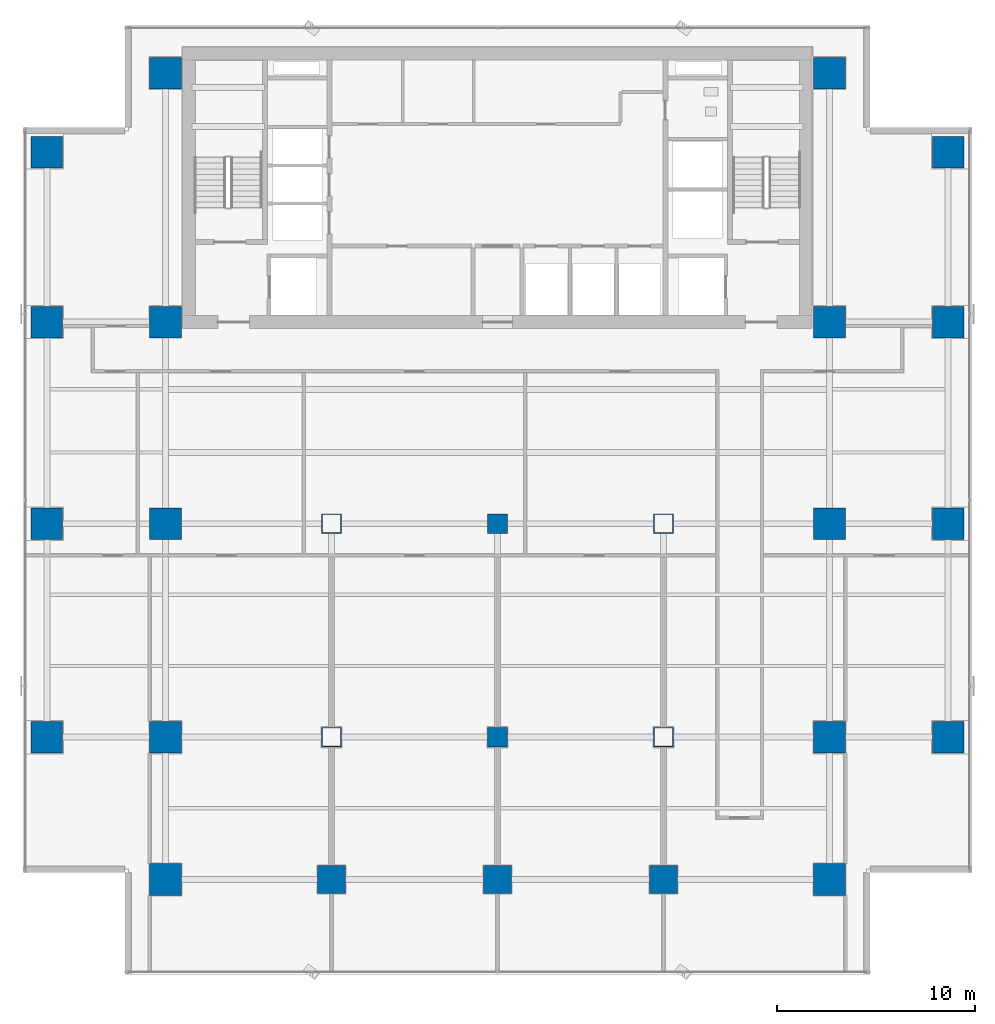
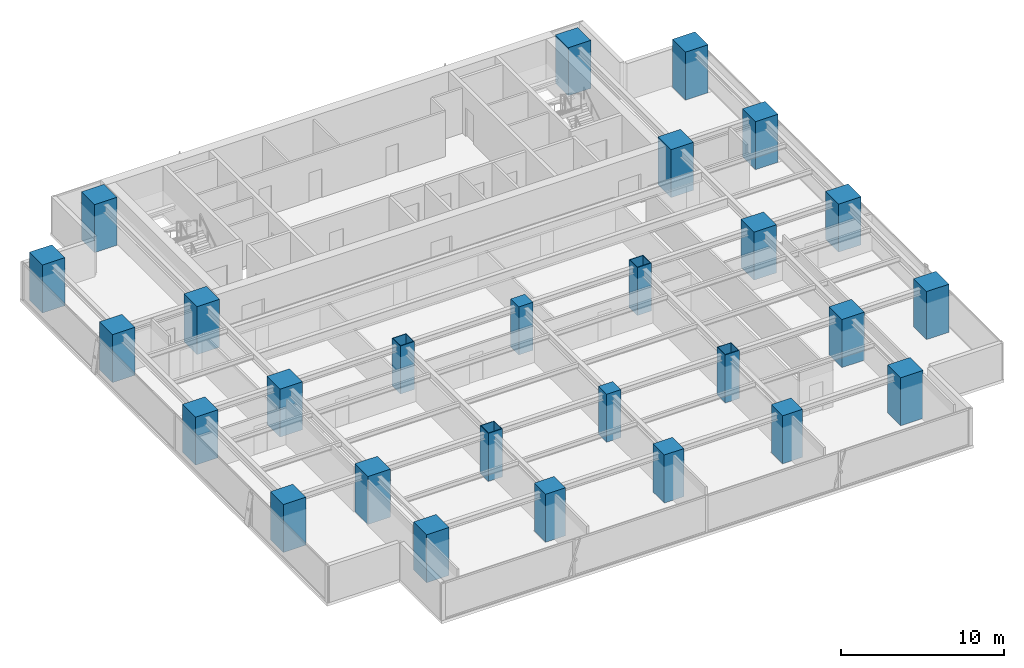
# One storey, part 1 of 28: 27 columns.
"""IFC4 building model written with IfcOpenShell, lengths in metres."""

from ifc_helpers import new_model, si_unit, direction, frame, origin, origin_2d, place, context, subcontext, project, spatial, rectangle, hollow_rectangle, extrude, source, transform, mapped, material, material_profile, profile_set, type_object, element, save


model = new_model("IFC4")

# Units and contexts
model_context = context("Model", 3, precision=1e-05, world=origin(), true_north=direction((0.0, 1.0)))
body_context = subcontext(model_context, "Body", "Model", "MODEL_VIEW")
ifc_project = project(units=[si_unit("LENGTHUNIT", "METRE"), si_unit("AREAUNIT", "SQUARE_METRE"), si_unit("VOLUMEUNIT", "CUBIC_METRE"), si_unit("PLANEANGLEUNIT", "RADIAN"), si_unit("MASSUNIT", "GRAM", prefix="KILO")], contexts=[model_context])

# Site, building, storey
site_placement = place(None, origin())
site = spatial("IfcSite", under=ifc_project, at=site_placement, CompositionType="ELEMENT")
building_placement = place(site_placement, origin())
building = spatial("IfcBuilding", under=site, at=building_placement, Name="Sumidabori Civic Tower", CompositionType="ELEMENT")
storey_placement = place(building_placement, frame((0.0, 0.0, 146.0)))
storey = spatial("IfcBuildingStorey", under=building, at=storey_placement, Name="L37", CompositionType="ELEMENT", Elevation=146.0)

# Columns
ifc_material_1 = material(Name="Concrete C60/75", Category="concrete")
ifc_material_profile_1 = material_profile(ifc_material_1, rectangle(XDim=1.60009765625, YDim=1.60009765625, at=origin_2d()), Name="RC 1600x1600")
ifc_profile_set_1 = profile_set([ifc_material_profile_1], Name="Concrete C60/75")
column_type_1 = type_object("IfcColumnType", Name="CL-MEGA-1600", PredefinedType="COLUMN", material=ifc_profile_set_1)
shared_shape_1 = source(origin(), body_context, "Body", "SweptSolid", [
    extrude(rectangle(XDim=1.60009765625, YDim=1.60009765625, at=origin_2d()), origin(), (0.0, 0.0, 1.0), 3.60009765625),
])
for number, where, z_axis, x_axis, name in (
    (1, (-16.800048828125, -18.0, 0.0), (0.0, 0.0, 1.0), (1.0, 0.0, 0.0), "Column MC-W16-Y18S L37"),
    (2, (-16.800048828125, -10.800048828125, 0.0), (0.0, 0.0, 1.0), (1.0, 0.0, 0.0), "Column MC-W16-Y11S L37"),
    (3, (-16.800048828125, 0.0, 0.0), (0.0, 0.0, 1.0), (1.0, 0.0, 0.0), "Column MC-W16-Y00 L37"),
    (4, (-16.800048828125, 10.199951171875, 0.0), (0.0, 0.0, 1.0), (1.0, 0.0, 0.0), "Column MC-W16-Y10N L37"),
    (5, (-16.800048828125, 22.800048828125, 0.0), (0.0, 0.0, 1.0), (1.0, 0.0, 0.0), "Column MC-W16-Y23N L37"),
    (6, (16.800048828125, -18.0, 0.0), (0.0, 0.0, 1.0), (1.0, 0.0, 0.0), "Column MC-E16-Y18S L37"),
    (7, (16.800048828125, -10.800048828125, 0.0), (0.0, 0.0, 1.0), (1.0, 0.0, 0.0), "Column MC-E16-Y11S L37"),
    (8, (16.800048828125, 0.0, 0.0), (0.0, 0.0, 1.0), (1.0, 0.0, 0.0), "Column MC-E16-Y00 L37"),
    (9, (16.800048828125, 10.199951171875, 0.0), (0.0, 0.0, 1.0), (1.0, 0.0, 0.0), "Column MC-E16-Y10N L37"),
    (10, (16.800048828125, 22.800048828125, 0.0), (0.0, 0.0, 1.0), (1.0, 0.0, 0.0), "Column MC-E16-Y23N L37"),
    (11, (-22.800048828125, -10.800048828125, 0.0), (0.0, 0.0, 1.0), (1.0, 0.0, 0.0), "Column MC-W23-Y11S L37"),
    (12, (-22.800048828125, 0.0, 0.0), (0.0, 0.0, 1.0), (1.0, 0.0, 0.0), "Column MC-W23-Y00 L37"),
    (13, (-22.800048828125, 10.199951171875, 0.0), (0.0, 0.0, 1.0), (1.0, 0.0, 0.0), "Column MC-W23-Y10N L37"),
    (14, (-22.800048828125, 18.800048828125, 0.0), (0.0, 0.0, 1.0), (1.0, 0.0, 0.0), "Column MC-W23-Y19N L37"),
    (15, (22.800048828125, -10.800048828125, 0.0), (0.0, 0.0, 1.0), (1.0, 0.0, 0.0), "Column MC-E23-Y11S L37"),
    (16, (22.800048828125, 0.0, 0.0), (0.0, 0.0, 1.0), (1.0, 0.0, 0.0), "Column MC-E23-Y00 L37"),
    (17, (22.800048828125, 10.199951171875, 0.0), (0.0, 0.0, 1.0), (1.0, 0.0, 0.0), "Column MC-E23-Y10N L37"),
    (18, (22.800048828125, 18.800048828125, 0.0), (0.0, 0.0, 1.0), (1.0, 0.0, 0.0), "Column MC-E23-Y19N L37"),
):
    element("IfcColumn", number, at=place(storey_placement, frame(where, z_axis=z_axis, x_axis=x_axis)), inside=storey, type_object=column_type_1, Name=name, PredefinedType="COLUMN", context=body_context, shape_type="MappedRepresentation", body=[
        mapped(shared_shape_1, transform((0.0, 0.0, 0.0), x_axis=(1.0, 0.0, 0.0), y_axis=(0.0, 1.0, 0.0), z_axis=(0.0, 0.0, 1.0), scale=1.0)),
    ])
ifc_material_2 = material(Name="Steel SM570", Category="steel")
ifc_material_profile_2 = material_profile(ifc_material_2, hollow_rectangle(XDim=1.0, YDim=1.0, WallThickness=0.044921875, at=origin_2d()), Name="SHS 1000x1000x45")
ifc_profile_set_2 = profile_set([ifc_material_profile_2], Name="Steel SM570")
column_type_2 = type_object("IfcColumnType", Name="CL-PORTAL-SHS1000", PredefinedType="COLUMN", material=ifc_profile_set_2)
shared_shape_2 = source(origin(), body_context, "Body", "SweptSolid", [
    extrude(hollow_rectangle(XDim=1.0, YDim=1.0, WallThickness=0.044921875, at=origin_2d()), origin(), (0.0, 0.0, 1.0), 3.60009765625),
])
for number, where, z_axis, x_axis, name in (
    (19, (-8.39990234375, 0.0, 0.0), (0.0, 0.0, 1.0), (1.0, 0.0, 0.0), "Column MC-W08-Y00 L37"),
    (20, (-8.39990234375, -10.800048828125, 0.0), (0.0, 0.0, 1.0), (1.0, 0.0, 0.0), "Column MC-W08-Y11S L37"),
    (21, (8.39990234375, 0.0, 0.0), (0.0, 0.0, 1.0), (1.0, 0.0, 0.0), "Column MC-E08-Y00 L37"),
    (22, (8.39990234375, -10.800048828125, 0.0), (0.0, 0.0, 1.0), (1.0, 0.0, 0.0), "Column MC-E08-Y11S L37"),
):
    element("IfcColumn", number, at=place(storey_placement, frame(where, z_axis=z_axis, x_axis=x_axis)), inside=storey, type_object=column_type_2, Name=name, PredefinedType="COLUMN", context=body_context, shape_type="MappedRepresentation", body=[
        mapped(shared_shape_2, transform((0.0, 0.0, 0.0), x_axis=(1.0, 0.0, 0.0), y_axis=(0.0, 1.0, 0.0), z_axis=(0.0, 0.0, 1.0), scale=1.0)),
    ])
ifc_material_profile_3 = material_profile(ifc_material_1, rectangle(XDim=1.39990234375, YDim=1.39990234375, at=origin_2d()), Name="RC 1400x1400")
ifc_profile_set_3 = profile_set([ifc_material_profile_3], Name="Concrete C60/75")
column_type_3 = type_object("IfcColumnType", Name="CL-MEGA-1400", PredefinedType="COLUMN", material=ifc_profile_set_3)
shared_shape_3 = source(origin(), body_context, "Body", "SweptSolid", [
    extrude(rectangle(XDim=1.39990234375, YDim=1.39990234375, at=origin_2d()), origin(), (0.0, 0.0, 1.0), 3.60009765625),
])
for number, where, z_axis, x_axis, name in (
    (23, (-8.39990234375, -18.0, 0.0), (0.0, 0.0, 1.0), (1.0, 0.0, 0.0), "Column MC-W08-Y18S L37"),
    (24, (8.39990234375, -18.0, 0.0), (0.0, 0.0, 1.0), (1.0, 0.0, 0.0), "Column MC-E08-Y18S L37"),
    (25, (0.0, -18.0, 0.0), (0.0, 0.0, 1.0), (1.0, 0.0, 0.0), "Column MC-C00-Y18S L37"),
):
    element("IfcColumn", number, at=place(storey_placement, frame(where, z_axis=z_axis, x_axis=x_axis)), inside=storey, type_object=column_type_3, Name=name, PredefinedType="COLUMN", context=body_context, shape_type="MappedRepresentation", body=[
        mapped(shared_shape_3, transform((0.0, 0.0, 0.0), x_axis=(1.0, 0.0, 0.0), y_axis=(0.0, 1.0, 0.0), z_axis=(0.0, 0.0, 1.0), scale=1.0)),
    ])
ifc_material_3 = material(Name="Concrete C50/60", Category="concrete")
ifc_material_profile_4 = material_profile(ifc_material_3, rectangle(XDim=1.0, YDim=1.0, at=origin_2d()), Name="RC 1000x1000")
ifc_profile_set_4 = profile_set([ifc_material_profile_4], Name="Concrete C50/60")
column_type_4 = type_object("IfcColumnType", Name="CL-INT-1000", PredefinedType="COLUMN", material=ifc_profile_set_4)
shared_shape_4 = source(origin(), body_context, "Body", "SweptSolid", [
    extrude(rectangle(XDim=1.0, YDim=1.0, at=origin_2d()), origin(), (0.0, 0.0, 1.0), 3.60009765625),
])
for number, where, z_axis, x_axis, name in (
    (26, (0.0, -10.800048828125, 0.0), (0.0, 0.0, 1.0), (1.0, 0.0, 0.0), "Column MC-C00-Y11S L37"),
    (27, (0.0, 0.0, 0.0), (0.0, 0.0, 1.0), (1.0, 0.0, 0.0), "Column MC-C00-Y00 L37"),
):
    element("IfcColumn", number, at=place(storey_placement, frame(where, z_axis=z_axis, x_axis=x_axis)), inside=storey, type_object=column_type_4, Name=name, PredefinedType="COLUMN", context=body_context, shape_type="MappedRepresentation", body=[
        mapped(shared_shape_4, transform((0.0, 0.0, 0.0), x_axis=(1.0, 0.0, 0.0), y_axis=(0.0, 1.0, 0.0), z_axis=(0.0, 0.0, 1.0), scale=1.0)),
    ])

save(model, "model.ifc")
